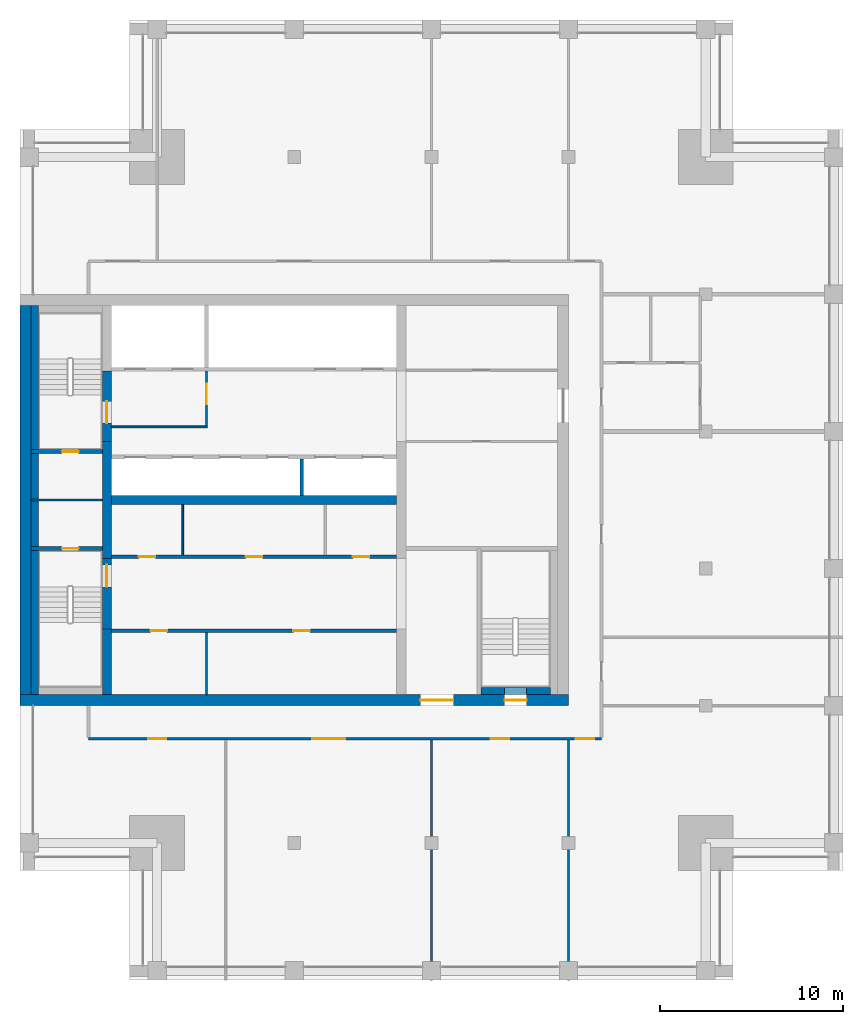
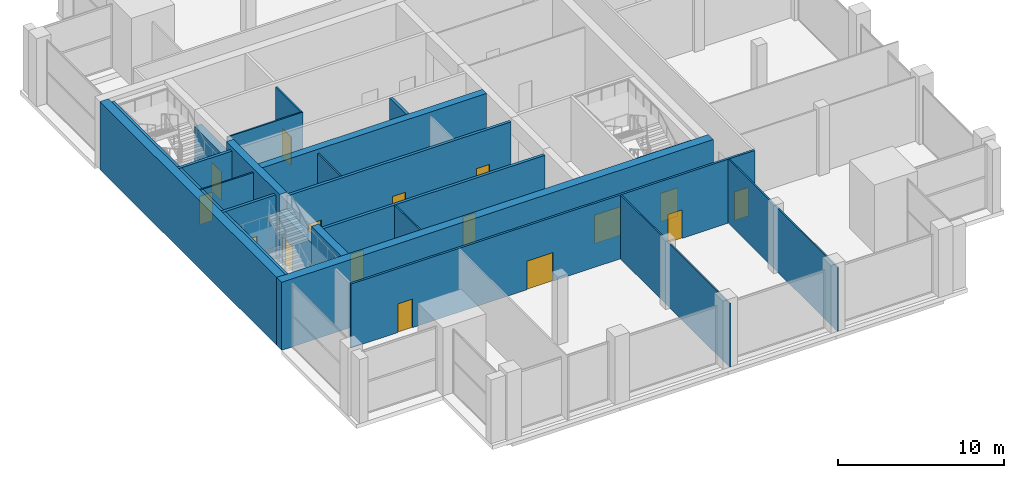
# One storey, part 8 of 15: 24 walls, 16 doors, 16 openings.
"""IFC4 building model written with IfcOpenShell, lengths in metres."""

from ifc_helpers import new_model, si_unit, direction, frame, frame_2d, origin, place, context, subcontext, project, spatial, rectangle, extrude, material, layer, layer_set, type_object, element, fill, save


model = new_model("IFC4")

# Units and contexts
model_context = context("Model", 3, precision=1e-05, world=origin(), true_north=direction((0.0, 1.0)))
body_context = subcontext(model_context, "Body", "Model", "MODEL_VIEW")
ifc_project = project(units=[si_unit("LENGTHUNIT", "METRE"), si_unit("AREAUNIT", "SQUARE_METRE"), si_unit("VOLUMEUNIT", "CUBIC_METRE"), si_unit("PLANEANGLEUNIT", "RADIAN"), si_unit("MASSUNIT", "GRAM", prefix="KILO")], contexts=[model_context])

# Site, building, storey
site_placement = place(None, origin())
site = spatial("IfcSite", under=ifc_project, at=site_placement, CompositionType="ELEMENT")
building_placement = place(site_placement, origin())
building = spatial("IfcBuilding", under=site, at=building_placement, Name="Tamorin Gate", CompositionType="ELEMENT")
storey_placement = place(building_placement, frame((0.0, 0.0, 297.699951171875)))
storey = spatial("IfcBuildingStorey", under=building, at=storey_placement, Name="L74", CompositionType="ELEMENT", Elevation=297.699951171875)

# Wall, openings, doors
ifc_material_1 = material(Name="Gypsum board partition")
ifc_layer_1 = layer(ifc_material_1, 0.14990234375)
ifc_layer_set_1 = layer_set([ifc_layer_1], Name="Corridor wall 150")
wall_type_1 = type_object("IfcWallType", Name="Corridor wall 150", PredefinedType="PARTITIONING", material=ifc_layer_set_1)
wall_1_placement = place(storey_placement, frame((33.75, 58.199951171875, 0.0), z_axis=(0.0, 0.0, 1.0), x_axis=(1.0, 0.0, 0.0)))
wall_1 = element("IfcWall", 1, at=wall_1_placement, inside=storey, type_object=wall_type_1, Name="Corridor wall 150", PredefinedType="PARTITIONING", context=body_context, shape_type="SweptSolid", body=[
    extrude(rectangle(XDim=28.050048828125, YDim=0.14990234375, at=frame_2d((14.02490234375, 0.0))), origin(), (0.0, 0.0, 1.0), 4.699951171875),
])
opening_1_placement = place(wall_1_placement, frame((3.25, 0.0, 0.0)))
opening_1 = element("IfcOpeningElement", 2, at=opening_1_placement, cuts=wall_1, Name="Opening DSK1001", PredefinedType="OPENING", context=body_context, shape_type="SweptSolid", body=[
    extrude(rectangle(XDim=1.0, YDim=2.10009765625, at=frame_2d((0.5, 1.050048828125))), frame((0.0, 0.0849609375, 0.0), z_axis=(0.0, -1.0, 0.0), x_axis=(1.0, 0.0, 0.0)), (0.0, 0.0, 1.0), 0.169921875),
])
opening_2_placement = place(wall_1_placement, frame((12.22509765625, 0.0, 0.0)))
opening_2 = element("IfcOpeningElement", 3, at=opening_2_placement, cuts=wall_1, Name="Opening DSK1002", PredefinedType="OPENING", context=body_context, shape_type="SweptSolid", body=[
    extrude(rectangle(XDim=1.800048828125, YDim=2.10009765625, at=frame_2d((0.89990234375, 1.050048828125))), frame((0.0, 0.0849609375, 0.0), z_axis=(0.0, -1.0, 0.0), x_axis=(1.0, 0.0, 0.0)), (0.0, 0.0, 1.0), 0.169921875),
])
opening_3_placement = place(wall_1_placement, frame((22.0, 0.0, 0.0)))
opening_3 = element("IfcOpeningElement", 4, at=opening_3_placement, cuts=wall_1, Name="Opening DSK1003", PredefinedType="OPENING", context=body_context, shape_type="SweptSolid", body=[
    extrude(rectangle(XDim=1.0, YDim=2.10009765625, at=frame_2d((0.5, 1.050048828125))), frame((0.0, 0.0849609375, 0.0), z_axis=(0.0, -1.0, 0.0), x_axis=(1.0, 0.0, 0.0)), (0.0, 0.0, 1.0), 0.169921875),
])
opening_4_placement = place(wall_1_placement, frame((26.64990234375, 0.0, 0.0)))
opening_4 = element("IfcOpeningElement", 5, at=opening_4_placement, cuts=wall_1, Name="Opening DSK1004", PredefinedType="OPENING", context=body_context, shape_type="SweptSolid", body=[
    extrude(rectangle(XDim=1.0, YDim=2.10009765625, at=frame_2d((0.5, 1.050048828125))), frame((0.0, 0.0849609375, 0.0), z_axis=(0.0, -1.0, 0.0), x_axis=(1.0, 0.0, 0.0)), (0.0, 0.0, 1.0), 0.169921875),
])
ifc_material_2 = material(Name="Timber door leaf", Category="wood")
door_type_1 = type_object("IfcDoorType", Name="Door 1000 x 2100 FD30S", OperationType="NOTDEFINED", PredefinedType="DOOR", material=ifc_material_2)
door_1_placement = place(opening_1_placement, origin())
door_1 = element("IfcDoor", 6, at=door_1_placement, inside=storey, type_object=door_type_1, Name="Door DSK1001", OperationType="SINGLE_SWING_RIGHT", OverallHeight=2.10009765625, OverallWidth=1.0, PredefinedType="DOOR", context=body_context, shape_type="SweptSolid", body=[
    extrude(rectangle(XDim=1.0, YDim=2.10009765625, at=frame_2d((0.5, 1.050048828125))), frame((0.0, 0.02490234375, 0.0), z_axis=(0.0, -1.0, 0.0), x_axis=(1.0, 0.0, 0.0)), (0.0, 0.0, 1.0), 0.050048828125),
])
fill(opening_1, door_1)
door_2_placement = place(opening_3_placement, origin())
door_2 = element("IfcDoor", 7, at=door_2_placement, inside=storey, type_object=door_type_1, Name="Door DSK1003", OperationType="SINGLE_SWING_RIGHT", OverallHeight=2.10009765625, OverallWidth=1.0, PredefinedType="DOOR", context=body_context, shape_type="SweptSolid", body=[
    extrude(rectangle(XDim=1.0, YDim=2.10009765625, at=frame_2d((0.5, 1.050048828125))), frame((0.0, 0.02490234375, 0.0), z_axis=(0.0, -1.0, 0.0), x_axis=(1.0, 0.0, 0.0)), (0.0, 0.0, 1.0), 0.050048828125),
])
fill(opening_3, door_2)
door_3_placement = place(opening_4_placement, origin())
door_3 = element("IfcDoor", 8, at=door_3_placement, inside=storey, type_object=door_type_1, Name="Door DSK1004", OperationType="SINGLE_SWING_RIGHT", OverallHeight=2.10009765625, OverallWidth=1.0, PredefinedType="DOOR", context=body_context, shape_type="SweptSolid", body=[
    extrude(rectangle(XDim=1.0, YDim=2.10009765625, at=frame_2d((0.5, 1.050048828125))), frame((0.0, 0.02490234375, 0.0), z_axis=(0.0, -1.0, 0.0), x_axis=(1.0, 0.0, 0.0)), (0.0, 0.0, 1.0), 0.050048828125),
])
fill(opening_4, door_3)
door_type_2 = type_object("IfcDoorType", Name="Door 1800 x 2100 FD30S", OperationType="DOUBLE_DOOR_SINGLE_SWING", PredefinedType="DOOR", material=ifc_material_2)
door_4_placement = place(opening_2_placement, origin())
door_4 = element("IfcDoor", 9, at=door_4_placement, inside=storey, type_object=door_type_2, Name="Door DSK1002", OperationType="DOUBLE_DOOR_SINGLE_SWING", OverallHeight=2.10009765625, OverallWidth=1.800048828125, PredefinedType="DOOR", context=body_context, shape_type="SweptSolid", body=[
    extrude(rectangle(XDim=1.800048828125, YDim=2.10009765625, at=frame_2d((0.89990234375, 1.050048828125))), frame((0.0, 0.02490234375, 0.0), z_axis=(0.0, -1.0, 0.0), x_axis=(1.0, 0.0, 0.0)), (0.0, 0.0, 1.0), 0.050048828125),
])
fill(opening_2, door_4)

# Walls
ifc_material_3 = material(Name="Concrete C32/40", Category="concrete")
ifc_layer_2 = layer(ifc_material_3, 0.199951171875)
ifc_layer_set_2 = layer_set([ifc_layer_2], Name="Lift shaft wall 200 EI 120")
wall_type_2 = type_object("IfcWallType", Name="Lift shaft wall 200 EI 120", PredefinedType="SOLIDWALL", material=ifc_layer_set_2)
wall_2_placement = place(storey_placement, frame((45.39990234375, 71.5, 0.0), z_axis=(0.0, 0.0, 1.0), x_axis=(0.0, 1.0, 0.0)))
element("IfcWall", 10, at=wall_2_placement, inside=storey, type_object=wall_type_2, Name="Lift shaft wall", PredefinedType="SOLIDWALL", context=body_context, shape_type="SweptSolid", body=[
    extrude(rectangle(XDim=2.0, YDim=0.199951171875, at=frame_2d((1.0, 0.0))), origin(), (0.0, 0.0, 1.0), 5.0),
])
ifc_material_4 = material(Name="Fire-rated gypsum board partition")
ifc_layer_3 = layer(ifc_material_4, 0.10009765625)
ifc_layer_set_3 = layer_set([ifc_layer_3], Name="Lobby wall 100 EI 60")
wall_type_3 = type_object("IfcWallType", Name="Lobby wall 100 EI 60", PredefinedType="PARTITIONING", material=ifc_layer_set_3)
wall_3_placement = place(storey_placement, frame((35.0, 75.25, 0.0), z_axis=(0.0, 0.0, 1.0), x_axis=(1.0, 0.0, 0.0)))
element("IfcWall", 11, at=wall_3_placement, inside=storey, type_object=wall_type_3, Name="Firefighting lobby wall", PredefinedType="PARTITIONING", context=body_context, shape_type="SweptSolid", body=[
    extrude(rectangle(XDim=5.25, YDim=0.10009765625, at=frame_2d((2.625, 0.0))), origin(), (0.0, 0.0, 1.0), 4.699951171875),
])

# Wall, opening, door
wall_4_placement = place(storey_placement, frame((40.199951171875, 75.300048828125, 0.0), z_axis=(0.0, 0.0, 1.0), x_axis=(0.0, 1.0, 0.0)))
wall_4 = element("IfcWall", 12, at=wall_4_placement, inside=storey, type_object=wall_type_3, Name="Firefighting lobby wall", PredefinedType="PARTITIONING", context=body_context, shape_type="SweptSolid", body=[
    extrude(rectangle(XDim=3.0, YDim=0.10009765625, at=frame_2d((1.5, 0.0))), origin(), (0.0, 0.0, 1.0), 4.699951171875),
])
opening_5_placement = place(wall_4_placement, frame((1.199951171875, 0.0, 0.0)))
opening_5 = element("IfcOpeningElement", 13, at=opening_5_placement, cuts=wall_4, Name="Opening DF1", PredefinedType="OPENING", context=body_context, shape_type="SweptSolid", body=[
    extrude(rectangle(XDim=1.10009765625, YDim=2.10009765625, at=frame_2d((0.550048828125, 1.050048828125))), frame((0.0, 0.06005859375, 0.0), z_axis=(0.0, -1.0, 0.0), x_axis=(1.0, 0.0, 0.0)), (0.0, 0.0, 1.0), 0.1201171875),
])
ifc_material_5 = material(Name="Steel fire door", Category="steel")
door_type_3 = type_object("IfcDoorType", Name="Firefighting lobby door 1100 x 2100 EI 90", OperationType="SINGLE_SWING_LEFT", PredefinedType="DOOR", material=ifc_material_5)
door_5_placement = place(opening_5_placement, origin())
door_5 = element("IfcDoor", 14, at=door_5_placement, inside=storey, type_object=door_type_3, Name="Firefighting lobby door", OperationType="SINGLE_SWING_LEFT", OverallHeight=2.10009765625, OverallWidth=1.10009765625, PredefinedType="DOOR", context=body_context, shape_type="SweptSolid", body=[
    extrude(rectangle(XDim=1.10009765625, YDim=2.10009765625, at=frame_2d((0.550048828125, 1.050048828125))), frame((0.0, 0.02490234375, 0.0), z_axis=(0.0, -1.0, 0.0), x_axis=(1.0, 0.0, 0.0)), (0.0, 0.0, 1.0), 0.050048828125),
])
fill(opening_5, door_5)

# Walls
ifc_material_6 = material(Name="Concrete C50/60", Category="concrete")
ifc_layer_4 = layer(ifc_material_6, 0.5)
ifc_layer_set_4 = layer_set([ifc_layer_4], Name="RC core internal wall 500 C50/60")
wall_type_4 = type_object("IfcWallType", Name="RC core internal wall 500 C50/60", PredefinedType="SHEAR", material=ifc_layer_set_4)
wall_5_placement = place(storey_placement, frame((35.0, 71.25, 0.0), z_axis=(0.0, 0.0, 1.0), x_axis=(1.0, 0.0, 0.0)))
element("IfcWall", 15, at=wall_5_placement, inside=storey, type_object=wall_type_4, Name="Core spine wall L74", PredefinedType="SHEAR", context=body_context, shape_type="SweptSolid", body=[
    extrude(rectangle(XDim=15.60009765625, YDim=0.5, at=frame_2d((7.800048828125, 0.0))), origin(), (0.0, 0.0, 1.0), 5.0),
])
wall_6_placement = place(storey_placement, frame((34.75, 60.60009765625, 0.0), z_axis=(0.0, 0.0, 1.0), x_axis=(0.0, 1.0, 0.0)))
element("IfcWall", 16, at=wall_6_placement, inside=storey, type_object=wall_type_4, Name="Core cross wall L74", PredefinedType="SHEAR", context=body_context, shape_type="SweptSolid", body=[
    extrude(rectangle(XDim=3.599853515625, YDim=0.5, at=frame_2d((1.7998046875, 0.0))), origin(), (0.0, 0.0, 1.0), 5.0),
])
wall_7_placement = place(storey_placement, frame((34.75, 68.050048828125, 0.0), z_axis=(0.0, 0.0, 1.0), x_axis=(0.0, 1.0, 0.0)))
element("IfcWall", 17, at=wall_7_placement, inside=storey, type_object=wall_type_4, Name="Core cross wall L74", PredefinedType="SHEAR", context=body_context, shape_type="SweptSolid", body=[
    extrude(rectangle(XDim=6.39990234375, YDim=0.5, at=frame_2d((3.199951171875, 0.0))), origin(), (0.0, 0.0, 1.0), 5.0),
])

# Wall, openings, doors
ifc_layer_5 = layer(ifc_material_6, 0.60009765625)
ifc_layer_set_5 = layer_set([ifc_layer_5], Name="RC core wall 600 C50/60")
wall_type_5 = type_object("IfcWallType", Name="RC core wall 600 C50/60", PredefinedType="SHEAR", material=ifc_layer_set_5)
wall_8_placement = place(storey_placement, frame((30.0, 60.300048828125, 0.0), z_axis=(0.0, 0.0, 1.0), x_axis=(1.0, 0.0, 0.0)))
wall_8 = element("IfcWall", 18, at=wall_8_placement, inside=storey, type_object=wall_type_5, Name="Core wall L74", PredefinedType="SHEAR", context=body_context, shape_type="SweptSolid", body=[
    extrude(rectangle(XDim=30.0, YDim=0.60009765625, at=frame_2d((15.0, 0.0))), origin(), (0.0, 0.0, 1.0), 5.0),
])
opening_6_placement = place(wall_8_placement, frame((21.89990234375, 0.0, 0.0)))
opening_6 = element("IfcOpeningElement", 19, at=opening_6_placement, cuts=wall_8, Name="Opening DE1", PredefinedType="OPENING", context=body_context, shape_type="SweptSolid", body=[
    extrude(rectangle(XDim=1.800048828125, YDim=2.10009765625, at=frame_2d((0.89990234375, 1.050048828125))), frame((0.0, 0.31005859375, 0.0), z_axis=(0.0, -1.0, 0.0), x_axis=(1.0, 0.0, 0.0)), (0.0, 0.0, 1.0), 0.6201171875),
])
opening_7_placement = place(wall_8_placement, frame((26.5, 0.0, 0.0)))
opening_7 = element("IfcOpeningElement", 20, at=opening_7_placement, cuts=wall_8, Name="Opening DS1", PredefinedType="OPENING", context=body_context, shape_type="SweptSolid", body=[
    extrude(rectangle(XDim=1.199951171875, YDim=2.10009765625, at=frame_2d((0.60009765625, 1.050048828125))), frame((0.0, 0.31005859375, 0.0), z_axis=(0.0, -1.0, 0.0), x_axis=(1.0, 0.0, 0.0)), (0.0, 0.0, 1.0), 0.6201171875),
])
door_type_4 = type_object("IfcDoorType", Name="Lobby exit double door 1800 x 2100 EI 60", OperationType="DOUBLE_DOOR_SINGLE_SWING", PredefinedType="DOOR", material=ifc_material_5)
door_6_placement = place(opening_6_placement, origin())
door_6 = element("IfcDoor", 21, at=door_6_placement, inside=storey, type_object=door_type_4, Name="Lift lobby A exit door", OperationType="DOUBLE_DOOR_SINGLE_SWING", OverallHeight=2.10009765625, OverallWidth=1.800048828125, PredefinedType="DOOR", context=body_context, shape_type="SweptSolid", body=[
    extrude(rectangle(XDim=1.800048828125, YDim=2.10009765625, at=frame_2d((0.89990234375, 1.050048828125))), frame((0.0, 0.02490234375, 0.0), z_axis=(0.0, -1.0, 0.0), x_axis=(1.0, 0.0, 0.0)), (0.0, 0.0, 1.0), 0.050048828125),
])
fill(opening_6, door_6)
door_type_5 = type_object("IfcDoorType", Name="Stair door 1200 x 2100 EI 90", OperationType="SINGLE_SWING_LEFT", PredefinedType="DOOR", material=ifc_material_5)
door_7_placement = place(opening_7_placement, origin())
door_7 = element("IfcDoor", 22, at=door_7_placement, inside=storey, type_object=door_type_5, Name="ST3 door", OperationType="SINGLE_SWING_LEFT", OverallHeight=2.10009765625, OverallWidth=1.199951171875, PredefinedType="DOOR", context=body_context, shape_type="SweptSolid", body=[
    extrude(rectangle(XDim=1.199951171875, YDim=2.10009765625, at=frame_2d((0.60009765625, 1.050048828125))), frame((0.0, 0.02490234375, 0.0), z_axis=(0.0, -1.0, 0.0), x_axis=(1.0, 0.0, 0.0)), (0.0, 0.0, 1.0), 0.050048828125),
])
fill(opening_7, door_7)

# Walls
wall_9_placement = place(storey_placement, frame((30.300048828125, 60.60009765625, 0.0), z_axis=(0.0, 0.0, 1.0), x_axis=(0.0, 1.0, 0.0)))
element("IfcWall", 23, at=wall_9_placement, inside=storey, type_object=wall_type_5, Name="Core wall L74", PredefinedType="SHEAR", context=body_context, shape_type="SweptSolid", body=[
    extrude(rectangle(XDim=21.2998046875, YDim=0.60009765625, at=frame_2d((10.64990234375, 0.0))), origin(), (0.0, 0.0, 1.0), 5.0),
])
ifc_layer_6 = layer(ifc_material_4, 0.10009765625)
ifc_layer_set_6 = layer_set([ifc_layer_6], Name="Riser partition 100 EI 120")
wall_type_6 = type_object("IfcWallType", Name="Riser partition 100 EI 120", PredefinedType="PARTITIONING", material=ifc_layer_set_6)
wall_10_placement = place(storey_placement, frame((30.60009765625, 71.25, 0.0), z_axis=(0.0, 0.0, 1.0), x_axis=(1.0, 0.0, 0.0)))
element("IfcWall", 24, at=wall_10_placement, inside=storey, type_object=wall_type_6, Name="Riser partition", PredefinedType="PARTITIONING", context=body_context, shape_type="SweptSolid", body=[
    extrude(rectangle(XDim=3.89990234375, YDim=0.10009765625, at=frame_2d((1.949951171875, 0.0))), origin(), (0.0, 0.0, 1.0), 4.699951171875),
])
ifc_layer_7 = layer(ifc_material_1, 0.10009765625)
ifc_layer_set_7 = layer_set([ifc_layer_7], Name="Room partition 100")
wall_type_7 = type_object("IfcWallType", Name="Room partition 100", PredefinedType="PARTITIONING", material=ifc_layer_set_7)
for number, where, z_axis, x_axis, name in (
    (25, (52.5, 45.0, 0.0), (0.0, 0.0, 1.0), (0.0, 1.0, 0.0), "Room partition 100"),
    (26, (60.0, 45.0, 0.0), (0.0, 0.0, 1.0), (0.0, 1.0, 0.0), "Room partition 100"),
):
    element("IfcWall", number, at=place(storey_placement, frame(where, z_axis=z_axis, x_axis=x_axis)), inside=storey, type_object=wall_type_7, Name=name, PredefinedType="PARTITIONING", context=body_context, shape_type="SweptSolid", body=[
        extrude(rectangle(XDim=13.125, YDim=0.10009765625, at=frame_2d((6.5625, 0.0))), origin(), (0.0, 0.0, 1.0), 4.699951171875),
    ])

# Wall, openings, doors
ifc_layer_8 = layer(ifc_material_1, 0.199951171875)
ifc_layer_set_8 = layer_set([ifc_layer_8], Name="Service room face wall 200 EI 60")
wall_type_8 = type_object("IfcWallType", Name="Service room face wall 200 EI 60", PredefinedType="PARTITIONING", material=ifc_layer_set_8)
wall_11_placement = place(storey_placement, frame((35.0, 64.10009765625, 0.0), z_axis=(0.0, 0.0, 1.0), x_axis=(1.0, 0.0, 0.0)))
wall_11 = element("IfcWall", 27, at=wall_11_placement, inside=storey, type_object=wall_type_8, Name="Service room face wall", PredefinedType="PARTITIONING", context=body_context, shape_type="SweptSolid", body=[
    extrude(rectangle(XDim=15.60009765625, YDim=0.199951171875, at=frame_2d((7.800048828125, 0.0))), origin(), (0.0, 0.0, 1.0), 4.699951171875),
])
opening_8_placement = place(wall_11_placement, frame((2.14990234375, 0.0, 0.0)))
opening_8 = element("IfcOpeningElement", 28, at=opening_8_placement, cuts=wall_11, Name="Opening DK1", PredefinedType="OPENING", context=body_context, shape_type="SweptSolid", body=[
    extrude(rectangle(XDim=0.89990234375, YDim=2.10009765625, at=frame_2d((0.449951171875, 1.050048828125))), frame((0.0, 0.10986328125, 0.0), z_axis=(0.0, -1.0, 0.0), x_axis=(1.0, 0.0, 0.0)), (0.0, 0.0, 1.0), 0.219970703125),
])
opening_9_placement = place(wall_11_placement, frame((9.949951171875, 0.0, 0.0)))
opening_9 = element("IfcOpeningElement", 29, at=opening_9_placement, cuts=wall_11, Name="Opening DK1", PredefinedType="OPENING", context=body_context, shape_type="SweptSolid", body=[
    extrude(rectangle(XDim=0.89990234375, YDim=2.10009765625, at=frame_2d((0.449951171875, 1.050048828125))), frame((0.0, 0.10986328125, 0.0), z_axis=(0.0, -1.0, 0.0), x_axis=(1.0, 0.0, 0.0)), (0.0, 0.0, 1.0), 0.219970703125),
])
ifc_material_7 = material(Name="Timber fire door", Category="wood")
door_type_6 = type_object("IfcDoorType", Name="Service room door 900 x 2100 EI 60", OperationType="SINGLE_SWING_LEFT", PredefinedType="DOOR", material=ifc_material_7)
door_8_placement = place(opening_8_placement, origin())
door_8 = element("IfcDoor", 30, at=door_8_placement, inside=storey, type_object=door_type_6, Name="Door Club store", OperationType="SINGLE_SWING_RIGHT", OverallHeight=2.10009765625, OverallWidth=0.89990234375, PredefinedType="DOOR", context=body_context, shape_type="SweptSolid", body=[
    extrude(rectangle(XDim=0.89990234375, YDim=2.10009765625, at=frame_2d((0.449951171875, 1.050048828125))), frame((0.0, 0.02490234375, 0.0), z_axis=(0.0, -1.0, 0.0), x_axis=(1.0, 0.0, 0.0)), (0.0, 0.0, 1.0), 0.050048828125),
])
fill(opening_8, door_8)
door_9_placement = place(opening_9_placement, origin())
door_9 = element("IfcDoor", 31, at=door_9_placement, inside=storey, type_object=door_type_6, Name="Door Pantry", OperationType="SINGLE_SWING_LEFT", OverallHeight=2.10009765625, OverallWidth=0.89990234375, PredefinedType="DOOR", context=body_context, shape_type="SweptSolid", body=[
    extrude(rectangle(XDim=0.89990234375, YDim=2.10009765625, at=frame_2d((0.449951171875, 1.050048828125))), frame((0.0, 0.02490234375, 0.0), z_axis=(0.0, -1.0, 0.0), x_axis=(1.0, 0.0, 0.0)), (0.0, 0.0, 1.0), 0.050048828125),
])
fill(opening_9, door_9)

wall_12_placement = place(storey_placement, frame((35.0, 68.14990234375, 0.0), z_axis=(0.0, 0.0, 1.0), x_axis=(1.0, 0.0, 0.0)))
wall_12 = element("IfcWall", 32, at=wall_12_placement, inside=storey, type_object=wall_type_8, Name="Service room face wall", PredefinedType="PARTITIONING", context=body_context, shape_type="SweptSolid", body=[
    extrude(rectangle(XDim=15.60009765625, YDim=0.199951171875, at=frame_2d((7.800048828125, 0.0))), origin(), (0.0, 0.0, 1.0), 4.699951171875),
])
opening_10_placement = place(wall_12_placement, frame((1.5, 0.0, 0.0)))
opening_10 = element("IfcOpeningElement", 33, at=opening_10_placement, cuts=wall_12, Name="Opening DK1", PredefinedType="OPENING", context=body_context, shape_type="SweptSolid", body=[
    extrude(rectangle(XDim=0.89990234375, YDim=2.10009765625, at=frame_2d((0.449951171875, 1.050048828125))), frame((0.0, 0.10986328125, 0.0), z_axis=(0.0, -1.0, 0.0), x_axis=(1.0, 0.0, 0.0)), (0.0, 0.0, 1.0), 0.219970703125),
])
opening_11_placement = place(wall_12_placement, frame((7.35009765625, 0.0, 0.0)))
opening_11 = element("IfcOpeningElement", 34, at=opening_11_placement, cuts=wall_12, Name="Opening DK1", PredefinedType="OPENING", context=body_context, shape_type="SweptSolid", body=[
    extrude(rectangle(XDim=0.89990234375, YDim=2.10009765625, at=frame_2d((0.449951171875, 1.050048828125))), frame((0.0, 0.10986328125, 0.0), z_axis=(0.0, -1.0, 0.0), x_axis=(1.0, 0.0, 0.0)), (0.0, 0.0, 1.0), 0.219970703125),
])
opening_12_placement = place(wall_12_placement, frame((13.199951171875, 0.0, 0.0)))
opening_12 = element("IfcOpeningElement", 35, at=opening_12_placement, cuts=wall_12, Name="Opening DK1", PredefinedType="OPENING", context=body_context, shape_type="SweptSolid", body=[
    extrude(rectangle(XDim=0.89990234375, YDim=2.10009765625, at=frame_2d((0.449951171875, 1.050048828125))), frame((0.0, 0.10986328125, 0.0), z_axis=(0.0, -1.0, 0.0), x_axis=(1.0, 0.0, 0.0)), (0.0, 0.0, 1.0), 0.219970703125),
])
door_10_placement = place(opening_10_placement, origin())
door_10 = element("IfcDoor", 36, at=door_10_placement, inside=storey, type_object=door_type_6, Name="Door Cleaner's store", OperationType="SINGLE_SWING_RIGHT", OverallHeight=2.10009765625, OverallWidth=0.89990234375, PredefinedType="DOOR", context=body_context, shape_type="SweptSolid", body=[
    extrude(rectangle(XDim=0.89990234375, YDim=2.10009765625, at=frame_2d((0.449951171875, 1.050048828125))), frame((0.0, 0.02490234375, 0.0), z_axis=(0.0, -1.0, 0.0), x_axis=(1.0, 0.0, 0.0)), (0.0, 0.0, 1.0), 0.050048828125),
])
fill(opening_10, door_10)
door_11_placement = place(opening_11_placement, origin())
door_11 = element("IfcDoor", 37, at=door_11_placement, inside=storey, type_object=door_type_6, Name="Door Electrical and IT room", OperationType="SINGLE_SWING_LEFT", OverallHeight=2.10009765625, OverallWidth=0.89990234375, PredefinedType="DOOR", context=body_context, shape_type="SweptSolid", body=[
    extrude(rectangle(XDim=0.89990234375, YDim=2.10009765625, at=frame_2d((0.449951171875, 1.050048828125))), frame((0.0, 0.02490234375, 0.0), z_axis=(0.0, -1.0, 0.0), x_axis=(1.0, 0.0, 0.0)), (0.0, 0.0, 1.0), 0.050048828125),
])
fill(opening_11, door_11)
door_12_placement = place(opening_12_placement, origin())
door_12 = element("IfcDoor", 38, at=door_12_placement, inside=storey, type_object=door_type_6, Name="Door Linen store", OperationType="SINGLE_SWING_RIGHT", OverallHeight=2.10009765625, OverallWidth=0.89990234375, PredefinedType="DOOR", context=body_context, shape_type="SweptSolid", body=[
    extrude(rectangle(XDim=0.89990234375, YDim=2.10009765625, at=frame_2d((0.449951171875, 1.050048828125))), frame((0.0, 0.02490234375, 0.0), z_axis=(0.0, -1.0, 0.0), x_axis=(1.0, 0.0, 0.0)), (0.0, 0.0, 1.0), 0.050048828125),
])
fill(opening_12, door_12)

# Walls
ifc_layer_9 = layer(ifc_material_1, 0.10009765625)
ifc_layer_set_9 = layer_set([ifc_layer_9], Name="Service room partition 100 EI 60")
wall_type_9 = type_object("IfcWallType", Name="Service room partition 100 EI 60", PredefinedType="PARTITIONING", material=ifc_layer_set_9)
wall_13_placement = place(storey_placement, frame((40.199951171875, 60.60009765625, 0.0), z_axis=(0.0, 0.0, 1.0), x_axis=(0.0, 1.0, 0.0)))
element("IfcWall", 39, at=wall_13_placement, inside=storey, type_object=wall_type_9, Name="Service room partition", PredefinedType="PARTITIONING", context=body_context, shape_type="SweptSolid", body=[
    extrude(rectangle(XDim=3.39990234375, YDim=0.10009765625, at=frame_2d((1.699951171875, 0.0))), origin(), (0.0, 0.0, 1.0), 4.699951171875),
])
wall_14_placement = place(storey_placement, frame((38.89990234375, 68.25, 0.0), z_axis=(0.0, 0.0, 1.0), x_axis=(0.0, 1.0, 0.0)))
element("IfcWall", 40, at=wall_14_placement, inside=storey, type_object=wall_type_9, Name="Service room partition", PredefinedType="PARTITIONING", context=body_context, shape_type="SweptSolid", body=[
    extrude(rectangle(XDim=2.75, YDim=0.10009765625, at=frame_2d((1.375, 0.0))), origin(), (0.0, 0.0, 1.0), 4.699951171875),
])

# Wall, opening, door
ifc_material_8 = material(Name="Concrete C40/50", Category="concrete")
ifc_layer_10 = layer(ifc_material_8, 0.199951171875)
ifc_layer_set_10 = layer_set([ifc_layer_10], Name="Stair enclosure wall 200 EI 120 C40/50")
wall_type_10 = type_object("IfcWallType", Name="Stair enclosure wall 200 EI 120 C40/50", PredefinedType="SOLIDWALL", material=ifc_layer_set_10)
wall_15_placement = place(storey_placement, frame((30.60009765625, 68.60009765625, 0.0), z_axis=(0.0, 0.0, 1.0), x_axis=(1.0, 0.0, 0.0)))
wall_15 = element("IfcWall", 41, at=wall_15_placement, inside=storey, type_object=wall_type_10, Name="Stair enclosure wall", PredefinedType="SOLIDWALL", context=body_context, shape_type="SweptSolid", body=[
    extrude(rectangle(XDim=3.89990234375, YDim=0.199951171875, at=frame_2d((1.949951171875, 0.0))), origin(), (0.0, 0.0, 1.0), 4.699951171875),
])
opening_13_placement = place(wall_15_placement, frame((1.699951171875, 0.0, 0.0)))
opening_13 = element("IfcOpeningElement", 42, at=opening_13_placement, cuts=wall_15, Name="Opening DR1", PredefinedType="OPENING", context=body_context, shape_type="SweptSolid", body=[
    extrude(rectangle(XDim=0.89990234375, YDim=2.10009765625, at=frame_2d((0.449951171875, 1.050048828125))), frame((0.0, 0.10986328125, 0.0), z_axis=(0.0, -1.0, 0.0), x_axis=(1.0, 0.0, 0.0)), (0.0, 0.0, 1.0), 0.219970703125),
])
door_type_7 = type_object("IfcDoorType", Name="Riser access door 900 x 2100 EI 120", OperationType="SINGLE_SWING_LEFT", PredefinedType="DOOR", material=ifc_material_5)
door_13_placement = place(opening_13_placement, origin())
door_13 = element("IfcDoor", 43, at=door_13_placement, inside=storey, type_object=door_type_7, Name="Electrical riser door", OperationType="SINGLE_SWING_LEFT", OverallHeight=2.10009765625, OverallWidth=0.89990234375, PredefinedType="DOOR", context=body_context, shape_type="SweptSolid", body=[
    extrude(rectangle(XDim=0.89990234375, YDim=2.10009765625, at=frame_2d((0.449951171875, 1.050048828125))), frame((0.0, 0.02490234375, 0.0), z_axis=(0.0, -1.0, 0.0), x_axis=(1.0, 0.0, 0.0)), (0.0, 0.0, 1.0), 0.050048828125),
])
fill(opening_13, door_13)

wall_16_placement = place(storey_placement, frame((30.60009765625, 73.89990234375, 0.0), z_axis=(0.0, 0.0, 1.0), x_axis=(1.0, 0.0, 0.0)))
wall_16 = element("IfcWall", 44, at=wall_16_placement, inside=storey, type_object=wall_type_10, Name="Stair enclosure wall", PredefinedType="SOLIDWALL", context=body_context, shape_type="SweptSolid", body=[
    extrude(rectangle(XDim=3.89990234375, YDim=0.199951171875, at=frame_2d((1.949951171875, 0.0))), origin(), (0.0, 0.0, 1.0), 4.699951171875),
])
opening_14_placement = place(wall_16_placement, frame((1.699951171875, 0.0, 0.0)))
opening_14 = element("IfcOpeningElement", 45, at=opening_14_placement, cuts=wall_16, Name="Opening DR1", PredefinedType="OPENING", context=body_context, shape_type="SweptSolid", body=[
    extrude(rectangle(XDim=0.89990234375, YDim=2.10009765625, at=frame_2d((0.449951171875, 1.050048828125))), frame((0.0, 0.10986328125, 0.0), z_axis=(0.0, -1.0, 0.0), x_axis=(1.0, 0.0, 0.0)), (0.0, 0.0, 1.0), 0.219970703125),
])
door_14_placement = place(opening_14_placement, origin())
door_14 = element("IfcDoor", 46, at=door_14_placement, inside=storey, type_object=door_type_7, Name="Communications riser door", OperationType="SINGLE_SWING_RIGHT", OverallHeight=2.10009765625, OverallWidth=0.89990234375, PredefinedType="DOOR", context=body_context, shape_type="SweptSolid", body=[
    extrude(rectangle(XDim=0.89990234375, YDim=2.10009765625, at=frame_2d((0.449951171875, 1.050048828125))), frame((0.0, 0.02490234375, 0.0), z_axis=(0.0, -1.0, 0.0), x_axis=(1.0, 0.0, 0.0)), (0.0, 0.0, 1.0), 0.050048828125),
])
fill(opening_14, door_14)

# Walls
ifc_layer_11 = layer(ifc_material_6, 0.39990234375)
ifc_layer_set_11 = layer_set([ifc_layer_11], Name="Stair lining wall 400 EI 120 C50/60")
wall_type_11 = type_object("IfcWallType", Name="Stair lining wall 400 EI 120 C50/60", PredefinedType="SOLIDWALL", material=ifc_layer_set_11)
wall_17_placement = place(storey_placement, frame((30.800048828125, 60.60009765625, 0.0), z_axis=(0.0, 0.0, 1.0), x_axis=(0.0, 1.0, 0.0)))
element("IfcWall", 47, at=wall_17_placement, inside=storey, type_object=wall_type_11, Name="Stair lining wall", PredefinedType="SOLIDWALL", context=body_context, shape_type="SweptSolid", body=[
    extrude(rectangle(XDim=21.2998046875, YDim=0.39990234375, at=frame_2d((10.64990234375, 0.0))), origin(), (0.0, 0.0, 1.0), 4.699951171875),
])
for number, where, z_axis, x_axis, name in (
    (48, (55.199951171875, 60.800048828125, 0.0), (0.0, 0.0, 1.0), (1.0, 0.0, 0.0), "Stair lining wall"),
    (49, (57.699951171875, 60.800048828125, 0.0), (0.0, 0.0, 1.0), (1.0, 0.0, 0.0), "Stair lining wall"),
):
    element("IfcWall", number, at=place(storey_placement, frame(where, z_axis=z_axis, x_axis=x_axis)), inside=storey, type_object=wall_type_11, Name=name, PredefinedType="SOLIDWALL", context=body_context, shape_type="SweptSolid", body=[
        extrude(rectangle(XDim=1.300048828125, YDim=0.39990234375, at=frame_2d((0.64990234375, 0.0))), origin(), (0.0, 0.0, 1.0), 4.699951171875),
    ])
wall_18_placement = place(storey_placement, frame((56.5, 60.800048828125, 3.199951171875), z_axis=(0.0, 0.0, 1.0), x_axis=(1.0, 0.0, 0.0)))
element("IfcWall", 50, at=wall_18_placement, inside=storey, type_object=wall_type_11, Name="Stair lining wall", PredefinedType="SOLIDWALL", context=body_context, shape_type="SweptSolid", body=[
    extrude(rectangle(XDim=1.199951171875, YDim=0.39990234375, at=frame_2d((0.60009765625, 0.0))), origin(), (0.0, 0.0, 1.0), 1.5),
])

# Wall, opening, door
ifc_layer_12 = layer(ifc_material_3, 0.5)
ifc_layer_set_12 = layer_set([ifc_layer_12], Name="Stair lobby infill wall 500 EI 120")
wall_type_12 = type_object("IfcWallType", Name="Stair lobby infill wall 500 EI 120", PredefinedType="SOLIDWALL", material=ifc_layer_set_12)
wall_19_placement = place(storey_placement, frame((34.75, 64.199951171875, 0.0), z_axis=(0.0, 0.0, 1.0), x_axis=(0.0, 1.0, 0.0)))
wall_19 = element("IfcWall", 51, at=wall_19_placement, inside=storey, type_object=wall_type_12, Name="Stair lobby infill wall", PredefinedType="SOLIDWALL", context=body_context, shape_type="SweptSolid", body=[
    extrude(rectangle(XDim=3.85009765625, YDim=0.5, at=frame_2d((1.925048828125, 0.0))), origin(), (0.0, 0.0, 1.0), 3.800048828125),
])
opening_15_placement = place(wall_19_placement, frame((2.300048828125, 0.0, 0.0)))
opening_15 = element("IfcOpeningElement", 52, at=opening_15_placement, cuts=wall_19, Name="Opening DS1", PredefinedType="OPENING", context=body_context, shape_type="SweptSolid", body=[
    extrude(rectangle(XDim=1.199951171875, YDim=2.10009765625, at=frame_2d((0.60009765625, 1.050048828125))), frame((0.0, 0.260009765625, 0.0), z_axis=(0.0, -1.0, 0.0), x_axis=(1.0, 0.0, 0.0)), (0.0, 0.0, 1.0), 0.52001953125),
])
door_15_placement = place(opening_15_placement, origin())
door_15 = element("IfcDoor", 53, at=door_15_placement, inside=storey, type_object=door_type_5, Name="ST1 door", OperationType="SINGLE_SWING_LEFT", OverallHeight=2.10009765625, OverallWidth=1.199951171875, PredefinedType="DOOR", context=body_context, shape_type="SweptSolid", body=[
    extrude(rectangle(XDim=1.199951171875, YDim=2.10009765625, at=frame_2d((0.60009765625, 1.050048828125))), frame((0.0, 0.02490234375, 0.0), z_axis=(0.0, -1.0, 0.0), x_axis=(1.0, 0.0, 0.0)), (0.0, 0.0, 1.0), 0.050048828125),
])
fill(opening_15, door_15)

wall_20_placement = place(storey_placement, frame((34.75, 74.449951171875, 0.0), z_axis=(0.0, 0.0, 1.0), x_axis=(0.0, 1.0, 0.0)))
wall_20 = element("IfcWall", 54, at=wall_20_placement, inside=storey, type_object=wall_type_12, Name="Stair lobby infill wall", PredefinedType="SOLIDWALL", context=body_context, shape_type="SweptSolid", body=[
    extrude(rectangle(XDim=3.85009765625, YDim=0.5, at=frame_2d((1.925048828125, 0.0))), origin(), (0.0, 0.0, 1.0), 3.800048828125),
])
opening_16_placement = place(wall_20_placement, frame((1.0, 0.0, 0.0)))
opening_16 = element("IfcOpeningElement", 55, at=opening_16_placement, cuts=wall_20, Name="Opening DS1", PredefinedType="OPENING", context=body_context, shape_type="SweptSolid", body=[
    extrude(rectangle(XDim=1.199951171875, YDim=2.10009765625, at=frame_2d((0.60009765625, 1.050048828125))), frame((0.0, 0.260009765625, 0.0), z_axis=(0.0, -1.0, 0.0), x_axis=(1.0, 0.0, 0.0)), (0.0, 0.0, 1.0), 0.52001953125),
])
door_16_placement = place(opening_16_placement, origin())
door_16 = element("IfcDoor", 56, at=door_16_placement, inside=storey, type_object=door_type_5, Name="ST2 door", OperationType="SINGLE_SWING_RIGHT", OverallHeight=2.10009765625, OverallWidth=1.199951171875, PredefinedType="DOOR", context=body_context, shape_type="SweptSolid", body=[
    extrude(rectangle(XDim=1.199951171875, YDim=2.10009765625, at=frame_2d((0.60009765625, 1.050048828125))), frame((0.0, 0.02490234375, 0.0), z_axis=(0.0, -1.0, 0.0), x_axis=(1.0, 0.0, 0.0)), (0.0, 0.0, 1.0), 0.050048828125),
])
fill(opening_16, door_16)

save(model, "model.ifc")
